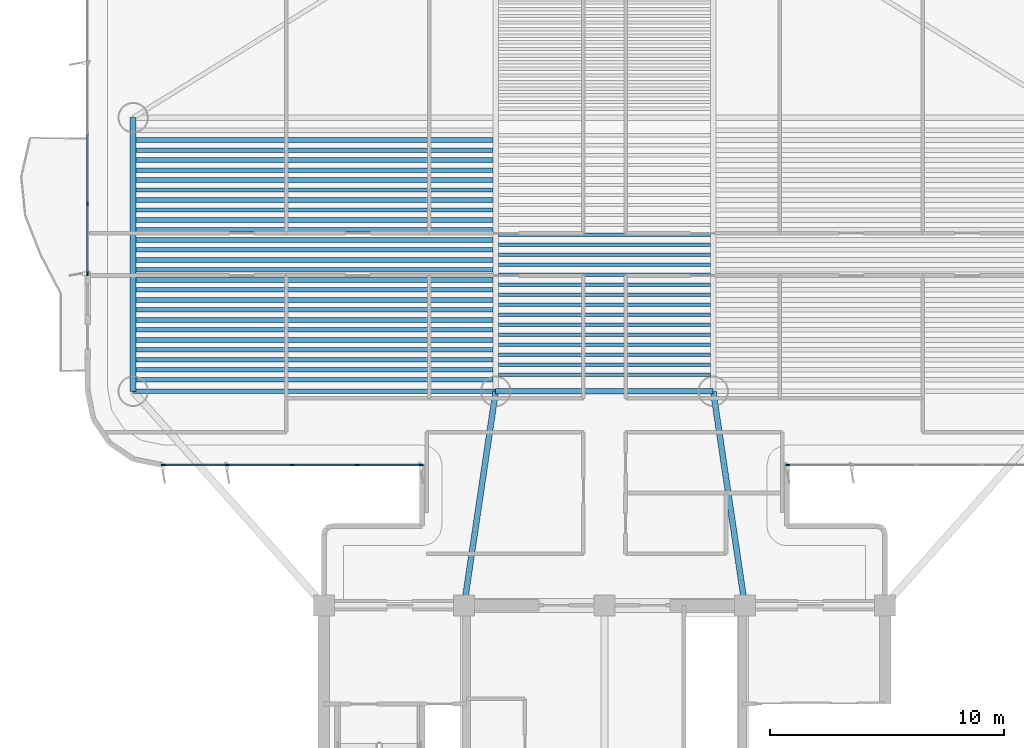
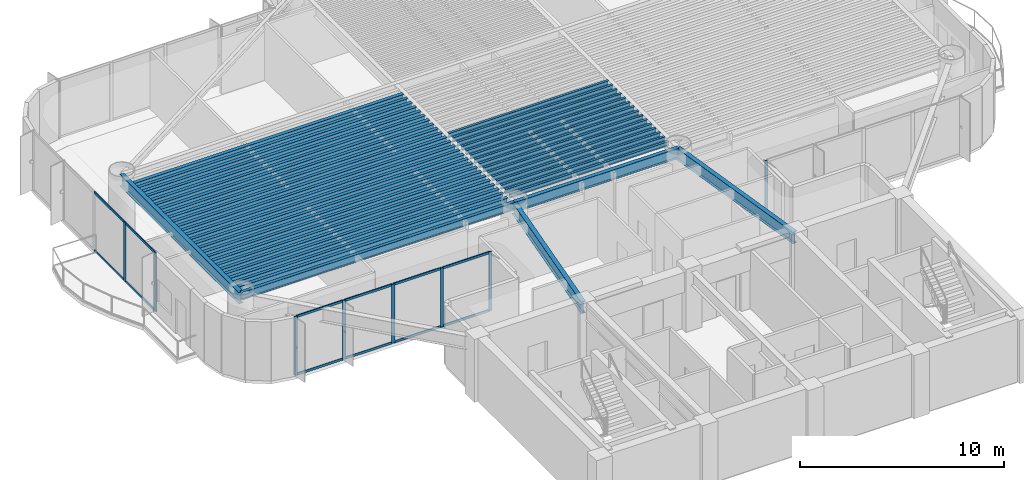
# One storey, part 2 of 16: 45 beams, 20 members, 3 elements without a shape of their own.
"""IFC4 building model written with IfcOpenShell, lengths in metres."""

from ifc_helpers import new_model, si_unit, direction, frame, origin, origin_2d, place, context, subcontext, project, spatial, rectangle, i_section, extrude, source, transform, mapped, material, layer, layer_set, material_profile, profile_set, type_object, element, aggregate, save


model = new_model("IFC4")

# Units and contexts
model_context = context("Model", 3, precision=1e-05, world=origin(), true_north=direction((0.0, 1.0)))
body_context = subcontext(model_context, "Body", "Model", "MODEL_VIEW")
ifc_project = project(units=[si_unit("LENGTHUNIT", "METRE"), si_unit("AREAUNIT", "SQUARE_METRE"), si_unit("VOLUMEUNIT", "CUBIC_METRE"), si_unit("PLANEANGLEUNIT", "RADIAN"), si_unit("MASSUNIT", "GRAM", prefix="KILO")], contexts=[model_context])

# Site, building, storey
site_placement = place(None, origin())
site = spatial("IfcSite", under=ifc_project, at=site_placement, CompositionType="ELEMENT")
building_placement = place(site_placement, origin())
building = spatial("IfcBuilding", under=site, at=building_placement, Name="Brelvock Crest Care Tower", CompositionType="ELEMENT")
storey_placement = place(building_placement, frame((0.0, 0.0, 108.719970703125)))
storey = spatial("IfcBuildingStorey", under=building, at=storey_placement, Name="L27", CompositionType="ELEMENT", Elevation=108.719970703125)

# Beams
ifc_material_1 = material(Name="Steel Grade 350", Category="steel")
ifc_material_profile_1 = material_profile(ifc_material_1, i_section(OverallWidth=0.22900390625, OverallDepth=0.612060546875, WebThickness=0.011962890625, FlangeThickness=0.01953125, FilletRadius=0.013916015625, at=origin_2d()), Name="610UB125")
ifc_profile_set_1 = profile_set([ifc_material_profile_1], Name="Steel Grade 350")
beam_type_1 = type_object("IfcBeamType", Name="BM-G1", PredefinedType="BEAM", material=ifc_profile_set_1)
shared_shape_1 = source(origin(), body_context, "Body", "SweptSolid", [
    extrude(i_section(OverallWidth=0.22900390625, OverallDepth=0.612060546875, WebThickness=0.011962890625, FlangeThickness=0.01953125, FilletRadius=0.013916015625, at=origin_2d()), origin(), (0.0, 0.0, 1.0), 9.2998046875),
])
beam_1_placement = place(storey_placement, frame((31.35009765625, 27.14990234375, 3.22412109375), z_axis=(1.0, 0.0, 0.0), x_axis=(0.0, 1.0, 0.0)))
element("IfcBeam", 1, at=beam_1_placement, inside=storey, type_object=beam_type_1, Name="BM-TWR-L27-05", PredefinedType="BEAM", context=body_context, shape_type="MappedRepresentation", body=[
    mapped(shared_shape_1, transform((0.0, 0.0, 0.0), x_axis=(1.0, 0.0, 0.0), y_axis=(0.0, 1.0, 0.0), z_axis=(0.0, 0.0, 1.0), scale=1.0)),
])
ifc_material_profile_2 = material_profile(ifc_material_1, i_section(OverallWidth=0.14599609375, OverallDepth=0.256103515625, WebThickness=0.00634765625, FlangeThickness=0.010986328125, FilletRadius=0.0087890625, at=origin_2d()), Name="250UB37.3")
ifc_profile_set_2 = profile_set([ifc_material_profile_2], Name="Steel Grade 350")
beam_type_2 = type_object("IfcBeamType", Name="BM-J3", PredefinedType="JOIST", material=ifc_profile_set_2)
shared_shape_2 = source(origin(), body_context, "Body", "SweptSolid", [
    extrude(i_section(OverallWidth=0.14599609375, OverallDepth=0.256103515625, WebThickness=0.00634765625, FlangeThickness=0.010986328125, FilletRadius=0.0087890625, at=origin_2d()), origin(), (0.0, 0.0, 1.0), 9.06982421875),
])
for number, where, z_axis, x_axis, name in (
    (2, (31.465087890625, 27.85498046875, 3.402099609375), (1.0, 0.0, 0.0), (0.0, 1.0, 0.0), "BM-JH-L27-1"),
    (3, (31.465087890625, 28.281982421875, 3.402099609375), (1.0, 0.0, 0.0), (0.0, 1.0, 0.0), "BM-JH-L27-2"),
    (4, (31.465087890625, 28.708984375, 3.402099609375), (1.0, 0.0, 0.0), (0.0, 1.0, 0.0), "BM-JH-L27-3"),
    (5, (31.465087890625, 29.135986328125, 3.402099609375), (1.0, 0.0, 0.0), (0.0, 1.0, 0.0), "BM-JH-L27-4"),
    (6, (31.465087890625, 29.56298828125, 3.402099609375), (1.0, 0.0, 0.0), (0.0, 1.0, 0.0), "BM-JH-L27-5"),
    (7, (31.465087890625, 29.990234375, 3.402099609375), (1.0, 0.0, 0.0), (0.0, 1.0, 0.0), "BM-JH-L27-6"),
    (8, (31.465087890625, 30.417236328125, 3.402099609375), (1.0, 0.0, 0.0), (0.0, 1.0, 0.0), "BM-JH-L27-7"),
    (9, (31.465087890625, 30.84423828125, 3.402099609375), (1.0, 0.0, 0.0), (0.0, 1.0, 0.0), "BM-JH-L27-8"),
    (10, (31.465087890625, 31.271240234375, 3.402099609375), (1.0, 0.0, 0.0), (0.0, 1.0, 0.0), "BM-JH-L27-9"),
    (11, (31.465087890625, 31.698486328125, 3.402099609375), (1.0, 0.0, 0.0), (0.0, 1.0, 0.0), "BM-JH-L27-10"),
    (12, (31.465087890625, 32.12548828125, 3.402099609375), (1.0, 0.0, 0.0), (0.0, 1.0, 0.0), "BM-JH-L27-11"),
    (13, (31.465087890625, 32.552490234375, 3.402099609375), (1.0, 0.0, 0.0), (0.0, 1.0, 0.0), "BM-JH-L27-12"),
    (14, (31.465087890625, 32.9794921875, 3.402099609375), (1.0, 0.0, 0.0), (0.0, 1.0, 0.0), "BM-JH-L27-13"),
    (15, (31.465087890625, 33.406494140625, 3.402099609375), (1.0, 0.0, 0.0), (0.0, 1.0, 0.0), "BM-JH-L27-14"),
    (16, (31.465087890625, 33.83349609375, 3.402099609375), (1.0, 0.0, 0.0), (0.0, 1.0, 0.0), "BM-JH-L27-15"),
):
    element("IfcBeam", number, at=place(storey_placement, frame(where, z_axis=z_axis, x_axis=x_axis)), inside=storey, type_object=beam_type_2, Name=name, PredefinedType="JOIST", context=body_context, shape_type="MappedRepresentation", body=[
        mapped(shared_shape_2, transform((0.0, 0.0, 0.0), x_axis=(1.0, 0.0, 0.0), y_axis=(0.0, 1.0, 0.0), z_axis=(0.0, 0.0, 1.0), scale=1.0)),
    ])
ifc_material_profile_3 = material_profile(ifc_material_1, i_section(OverallWidth=0.208984375, OverallDepth=0.532958984375, WebThickness=0.01025390625, FlangeThickness=0.015625, FilletRadius=0.013916015625, at=origin_2d()), Name="530UB92.4")
ifc_profile_set_3 = profile_set([ifc_material_profile_3], Name="Steel Grade 350")
beam_type_3 = type_object("IfcBeamType", Name="BM-G2", PredefinedType="BEAM", material=ifc_profile_set_3)
shared_shape_3 = source(origin(), body_context, "Body", "SweptSolid", [
    extrude(i_section(OverallWidth=0.208984375, OverallDepth=0.532958984375, WebThickness=0.01025390625, FlangeThickness=0.015625, FilletRadius=0.013916015625, at=origin_2d()), origin(), (0.0, 0.0, 1.0), 15.27001953125),
])
for number, where, z_axis, x_axis, name in (
    (17, (15.965087890625, 27.641357421875, 3.263427734375), (1.0, 0.0, 0.0), (0.0, 1.0, 0.0), "BM-JW-L27-1"),
    (18, (15.965087890625, 28.49560546875, 3.263427734375), (1.0, 0.0, 0.0), (0.0, 1.0, 0.0), "BM-JW-L27-3"),
    (19, (15.965087890625, 29.349609375, 3.263427734375), (1.0, 0.0, 0.0), (0.0, 1.0, 0.0), "BM-JW-L27-5"),
    (20, (15.965087890625, 30.20361328125, 3.263427734375), (1.0, 0.0, 0.0), (0.0, 1.0, 0.0), "BM-JW-L27-7"),
    (21, (15.965087890625, 31.057861328125, 3.263427734375), (1.0, 0.0, 0.0), (0.0, 1.0, 0.0), "BM-JW-L27-9"),
    (22, (15.965087890625, 31.911865234375, 3.263427734375), (1.0, 0.0, 0.0), (0.0, 1.0, 0.0), "BM-JW-L27-11"),
    (23, (15.965087890625, 32.76611328125, 3.263427734375), (1.0, 0.0, 0.0), (0.0, 1.0, 0.0), "BM-JW-L27-13"),
    (24, (15.965087890625, 33.6201171875, 3.263427734375), (1.0, 0.0, 0.0), (0.0, 1.0, 0.0), "BM-JW-L27-15"),
    (25, (15.965087890625, 34.47412109375, 3.263427734375), (1.0, 0.0, 0.0), (0.0, 1.0, 0.0), "BM-JW-L27-17"),
    (26, (15.965087890625, 35.328369140625, 3.263427734375), (1.0, 0.0, 0.0), (0.0, 1.0, 0.0), "BM-JW-L27-19"),
    (27, (15.965087890625, 36.182373046875, 3.263427734375), (1.0, 0.0, 0.0), (0.0, 1.0, 0.0), "BM-JW-L27-21"),
    (28, (15.965087890625, 37.03662109375, 3.263427734375), (1.0, 0.0, 0.0), (0.0, 1.0, 0.0), "BM-JW-L27-23"),
    (29, (15.965087890625, 37.890625, 3.263427734375), (1.0, 0.0, 0.0), (0.0, 1.0, 0.0), "BM-JW-L27-25"),
):
    element("IfcBeam", number, at=place(storey_placement, frame(where, z_axis=z_axis, x_axis=x_axis)), inside=storey, type_object=beam_type_3, Name=name, PredefinedType="BEAM", context=body_context, shape_type="MappedRepresentation", body=[
        mapped(shared_shape_3, transform((0.0, 0.0, 0.0), x_axis=(1.0, 0.0, 0.0), y_axis=(0.0, 1.0, 0.0), z_axis=(0.0, 0.0, 1.0), scale=1.0)),
    ])
ifc_material_profile_4 = material_profile(ifc_material_1, i_section(OverallWidth=0.19091796875, OverallDepth=0.4599609375, WebThickness=0.010009765625, FlangeThickness=0.01611328125, FilletRadius=0.011474609375, at=origin_2d()), Name="460UB82.1")
ifc_profile_set_4 = profile_set([ifc_material_profile_4], Name="Steel Grade 350")
beam_type_4 = type_object("IfcBeamType", Name="BM-G3", PredefinedType="BEAM", material=ifc_profile_set_4)
shared_shape_4 = source(origin(), body_context, "Body", "SweptSolid", [
    extrude(i_section(OverallWidth=0.19091796875, OverallDepth=0.4599609375, WebThickness=0.010009765625, FlangeThickness=0.01611328125, FilletRadius=0.011474609375, at=origin_2d()), origin(), (0.0, 0.0, 1.0), 15.27001953125),
])
for number, where, z_axis, x_axis, name in (
    (30, (15.965087890625, 28.068359375, 3.300048828125), (1.0, 0.0, 0.0), (0.0, 1.0, 0.0), "BM-JW-L27-2"),
    (31, (15.965087890625, 28.922607421875, 3.300048828125), (1.0, 0.0, 0.0), (0.0, 1.0, 0.0), "BM-JW-L27-4"),
    (32, (15.965087890625, 29.776611328125, 3.300048828125), (1.0, 0.0, 0.0), (0.0, 1.0, 0.0), "BM-JW-L27-6"),
    (33, (15.965087890625, 30.630615234375, 3.300048828125), (1.0, 0.0, 0.0), (0.0, 1.0, 0.0), "BM-JW-L27-8"),
    (34, (15.965087890625, 31.48486328125, 3.300048828125), (1.0, 0.0, 0.0), (0.0, 1.0, 0.0), "BM-JW-L27-10"),
    (35, (15.965087890625, 32.3388671875, 3.300048828125), (1.0, 0.0, 0.0), (0.0, 1.0, 0.0), "BM-JW-L27-12"),
    (36, (15.965087890625, 33.193115234375, 3.300048828125), (1.0, 0.0, 0.0), (0.0, 1.0, 0.0), "BM-JW-L27-14"),
    (37, (15.965087890625, 34.047119140625, 3.300048828125), (1.0, 0.0, 0.0), (0.0, 1.0, 0.0), "BM-JW-L27-16"),
    (38, (15.965087890625, 34.901123046875, 3.300048828125), (1.0, 0.0, 0.0), (0.0, 1.0, 0.0), "BM-JW-L27-18"),
    (39, (15.965087890625, 35.75537109375, 3.300048828125), (1.0, 0.0, 0.0), (0.0, 1.0, 0.0), "BM-JW-L27-20"),
    (40, (15.965087890625, 36.609619140625, 3.300048828125), (1.0, 0.0, 0.0), (0.0, 1.0, 0.0), "BM-JW-L27-22"),
    (41, (15.965087890625, 37.46337890625, 3.300048828125), (1.0, 0.0, 0.0), (0.0, 1.0, 0.0), "BM-JW-L27-24"),
):
    element("IfcBeam", number, at=place(storey_placement, frame(where, z_axis=z_axis, x_axis=x_axis)), inside=storey, type_object=beam_type_4, Name=name, PredefinedType="BEAM", context=body_context, shape_type="MappedRepresentation", body=[
        mapped(shared_shape_4, transform((0.0, 0.0, 0.0), x_axis=(1.0, 0.0, 0.0), y_axis=(0.0, 1.0, 0.0), z_axis=(0.0, 0.0, 1.0), scale=1.0)),
    ])
ifc_material_profile_5 = material_profile(ifc_material_1, i_section(OverallWidth=0.25, OverallDepth=0.699951171875, WebThickness=0.011962890625, FlangeThickness=0.02001953125, at=origin_2d()), Name="700WB150")
ifc_profile_set_5 = profile_set([ifc_material_profile_5], Name="Steel Grade 350")
beam_type_5 = type_object("IfcBeamType", Name="BM-G4", PredefinedType="BEAM", material=ifc_profile_set_5)
shared_shape_5 = source(origin(), body_context, "Body", "SweptSolid", [
    extrude(i_section(OverallWidth=0.25, OverallDepth=0.699951171875, WebThickness=0.011962890625, FlangeThickness=0.02001953125, at=origin_2d()), origin(), (0.0, 0.0, 1.0), 11.7001953125),
])
beam_2_placement = place(storey_placement, frame((15.85009765625, 27.14990234375, 3.179931640625), z_axis=(0.0, 1.0, 0.0), x_axis=(-1.0, 0.0, 0.0)))
element("IfcBeam", 42, at=beam_2_placement, inside=storey, type_object=beam_type_5, Name="BM-TWR-L27-01", PredefinedType="BEAM", context=body_context, shape_type="MappedRepresentation", body=[
    mapped(shared_shape_5, transform((0.0, 0.0, 0.0), x_axis=(1.0, 0.0, 0.0), y_axis=(0.0, 1.0, 0.0), z_axis=(0.0, 0.0, 1.0), scale=1.0)),
])
ifc_material_profile_6 = material_profile(ifc_material_1, i_section(OverallWidth=0.19091796875, OverallDepth=0.4599609375, WebThickness=0.010009765625, FlangeThickness=0.01611328125, FilletRadius=0.011474609375, at=origin_2d()), Name="460UB82.1")
ifc_profile_set_6 = profile_set([ifc_material_profile_6], Name="Steel Grade 350")
beam_type_6 = type_object("IfcBeamType", Name="BM-SP2", PredefinedType="SPANDREL", material=ifc_profile_set_6)
shared_shape_6 = source(origin(), body_context, "Body", "SweptSolid", [
    extrude(i_section(OverallWidth=0.19091796875, OverallDepth=0.4599609375, WebThickness=0.010009765625, FlangeThickness=0.01611328125, FilletRadius=0.011474609375, at=origin_2d()), origin(), (0.0, 0.0, 1.0), 15.5),
])
beam_3_placement = place(storey_placement, frame((15.85009765625, 27.14990234375, 3.300048828125), z_axis=(1.0, 0.0, 0.0), x_axis=(0.0, 1.0, 0.0)))
element("IfcBeam", 43, at=beam_3_placement, inside=storey, type_object=beam_type_6, Name="BM-TWR-L27-03", PredefinedType="SPANDREL", context=body_context, shape_type="MappedRepresentation", body=[
    mapped(shared_shape_6, transform((0.0, 0.0, 0.0), x_axis=(1.0, 0.0, 0.0), y_axis=(0.0, 1.0, 0.0), z_axis=(0.0, 0.0, 1.0), scale=1.0)),
])
shared_shape_7 = source(origin(), body_context, "Body", "SweptSolid", [
    extrude(i_section(OverallWidth=0.25, OverallDepth=0.699951171875, WebThickness=0.011962890625, FlangeThickness=0.02001953125, at=origin_2d()), origin(), (0.0, 0.0, 1.0), 9.2490234375),
])
for number, where, z_axis, x_axis, name in (
    (44, (30.0, 18.0, 3.179931640625), (0.145972731602, 0.989288613918, 0.0), (-0.989288613918, 0.145972731602, 0.0), "BM-THRW-L27"),
    (45, (42.0, 18.0, 3.179931640625), (-0.145972731602, 0.989288613918, 0.0), (-0.989288613918, -0.145972731602, 0.0), "BM-THRE-L27"),
):
    element("IfcBeam", number, at=place(storey_placement, frame(where, z_axis=z_axis, x_axis=x_axis)), inside=storey, type_object=beam_type_5, Name=name, PredefinedType="BEAM", context=body_context, shape_type="MappedRepresentation", body=[
        mapped(shared_shape_7, transform((0.0, 0.0, 0.0), x_axis=(1.0, 0.0, 0.0), y_axis=(0.0, 1.0, 0.0), z_axis=(0.0, 0.0, 1.0), scale=1.0)),
    ])

# Curtain wall, members
ifc_material_2 = material(Name="Dark Glass Double Glazed Low-E", Category="glass")
ifc_layer = layer(ifc_material_2, 0.2099609375, Name="CWS-3")
ifc_layer_set = layer_set([ifc_layer], Name="Dark Glass Double Glazed Low-E")
curtain_wall_type = type_object("IfcCurtainWallType", Name="CWS-3", PredefinedType="NOTDEFINED", material=ifc_layer_set)
curtain_wall_1_placement = place(storey_placement, origin())
curtain_wall_1 = element("IfcCurtainWall", 46, at=curtain_wall_1_placement, inside=storey, type_object=curtain_wall_type, Name="L27 Curtain Wall E12", PredefinedType="NOTDEFINED")
ifc_material_3 = material(Name="Aluminium 6063-T6", Category="aluminium")
ifc_material_profile_7 = material_profile(ifc_material_3, rectangle(XDim=0.06005859375, YDim=0.179931640625, at=origin_2d()), Name="ALU60x180")
ifc_profile_set_7 = profile_set([ifc_material_profile_7], Name="Aluminium 6063-T6")
member_type_1 = type_object("IfcMemberType", Name="CWM-2", PredefinedType="MULLION", material=ifc_profile_set_7)
shared_shape_8 = source(origin(), body_context, "Body", "SweptSolid", [
    extrude(rectangle(XDim=0.06005859375, YDim=0.179931640625, at=origin_2d()), origin(), (0.0, 0.0, 1.0), 3.530029296875),
])
member_1_placement = place(storey_placement, frame((28.169921875, 24.0, 0.0), z_axis=(0.0, 0.0, 1.0), x_axis=(0.0, -1.0, 0.0)))
member_1 = element("IfcMember", 47, at=member_1_placement, type_object=member_type_1, Name="CW-3 mullion 1", PredefinedType="MULLION", context=body_context, shape_type="MappedRepresentation", body=[
    mapped(shared_shape_8, transform((0.0, 0.0, 0.0), x_axis=(1.0, 0.0, 0.0), y_axis=(0.0, 1.0, 0.0), z_axis=(0.0, 0.0, 1.0), scale=1.0)),
])
member_2_placement = place(storey_placement, frame((25.425048828125, 24.0, 0.0), z_axis=(0.0, 0.0, 1.0), x_axis=(0.0, -1.0, 0.0)))
member_2 = element("IfcMember", 48, at=member_2_placement, type_object=member_type_1, Name="CW-3 mullion 2", PredefinedType="MULLION", context=body_context, shape_type="MappedRepresentation", body=[
    mapped(shared_shape_8, transform((0.0, 0.0, 0.0), x_axis=(1.0, 0.0, 0.0), y_axis=(0.0, 1.0, 0.0), z_axis=(0.0, 0.0, 1.0), scale=1.0)),
])
member_3_placement = place(storey_placement, frame((22.64990234375, 24.0, 0.0), z_axis=(0.0, 0.0, 1.0), x_axis=(0.0, -1.0, 0.0)))
member_3 = element("IfcMember", 49, at=member_3_placement, type_object=member_type_1, Name="CW-3 mullion 3", PredefinedType="MULLION", context=body_context, shape_type="MappedRepresentation", body=[
    mapped(shared_shape_8, transform((0.0, 0.0, 0.0), x_axis=(1.0, 0.0, 0.0), y_axis=(0.0, 1.0, 0.0), z_axis=(0.0, 0.0, 1.0), scale=1.0)),
])
member_4_placement = place(storey_placement, frame((19.875, 24.0, 0.0), z_axis=(0.0, 0.0, 1.0), x_axis=(0.0, -1.0, 0.0)))
member_4 = element("IfcMember", 50, at=member_4_placement, type_object=member_type_1, Name="CW-3 mullion 4", PredefinedType="MULLION", context=body_context, shape_type="MappedRepresentation", body=[
    mapped(shared_shape_8, transform((0.0, 0.0, 0.0), x_axis=(1.0, 0.0, 0.0), y_axis=(0.0, 1.0, 0.0), z_axis=(0.0, 0.0, 1.0), scale=1.0)),
])
member_5_placement = place(storey_placement, frame((17.1298828125, 24.0, 0.0), z_axis=(0.0, 0.0, 1.0), x_axis=(0.0, -1.0, 0.0)))
member_5 = element("IfcMember", 51, at=member_5_placement, type_object=member_type_1, Name="CW-3 mullion 5", PredefinedType="MULLION", context=body_context, shape_type="MappedRepresentation", body=[
    mapped(shared_shape_8, transform((0.0, 0.0, 0.0), x_axis=(1.0, 0.0, 0.0), y_axis=(0.0, 1.0, 0.0), z_axis=(0.0, 0.0, 1.0), scale=1.0)),
])

curtain_wall_2_placement = place(storey_placement, origin())
curtain_wall_2 = element("IfcCurtainWall", 52, at=curtain_wall_2_placement, inside=storey, type_object=curtain_wall_type, Name="L27 Curtain Wall E17B", PredefinedType="NOTDEFINED")
member_6_placement = place(storey_placement, frame((13.89990234375, 32.179931640625, 0.0), z_axis=(0.0, 0.0, 1.0), x_axis=(-1.0, 0.0, 0.0)))
member_6 = element("IfcMember", 53, at=member_6_placement, type_object=member_type_1, Name="CW-3 mullion 1", PredefinedType="MULLION", context=body_context, shape_type="MappedRepresentation", body=[
    mapped(shared_shape_8, transform((0.0, 0.0, 0.0), x_axis=(1.0, 0.0, 0.0), y_axis=(0.0, 1.0, 0.0), z_axis=(0.0, 0.0, 1.0), scale=1.0)),
])
member_7_placement = place(storey_placement, frame((13.89990234375, 35.16259765625, 0.0), z_axis=(0.0, 0.0, 1.0), x_axis=(-1.0, 0.0, 0.0)))
member_7 = element("IfcMember", 54, at=member_7_placement, type_object=member_type_1, Name="CW-3 mullion 2", PredefinedType="MULLION", context=body_context, shape_type="MappedRepresentation", body=[
    mapped(shared_shape_8, transform((0.0, 0.0, 0.0), x_axis=(1.0, 0.0, 0.0), y_axis=(0.0, 1.0, 0.0), z_axis=(0.0, 0.0, 1.0), scale=1.0)),
])

# Curtain wall, member
curtain_wall_3_placement = place(storey_placement, origin())
curtain_wall_3 = element("IfcCurtainWall", 55, at=curtain_wall_3_placement, inside=storey, type_object=curtain_wall_type, Name="L27 Curtain Wall E44", PredefinedType="NOTDEFINED")
member_8_placement = place(storey_placement, frame((43.830078125, 24.0, 0.0), z_axis=(0.0, 0.0, 1.0), x_axis=(0.0, -1.0, 0.0)))
member_8 = element("IfcMember", 56, at=member_8_placement, type_object=member_type_1, Name="CW-3 mullion 5", PredefinedType="MULLION", context=body_context, shape_type="MappedRepresentation", body=[
    mapped(shared_shape_8, transform((0.0, 0.0, 0.0), x_axis=(1.0, 0.0, 0.0), y_axis=(0.0, 1.0, 0.0), z_axis=(0.0, 0.0, 1.0), scale=1.0)),
])
aggregate(curtain_wall_3, [member_8])

# Member
ifc_material_profile_8 = material_profile(ifc_material_3, rectangle(XDim=0.06005859375, YDim=0.139892578125, at=origin_2d()), Name="ALU60x140")
ifc_profile_set_8 = profile_set([ifc_material_profile_8], Name="Aluminium 6063-T6")
member_type_2 = type_object("IfcMemberType", Name="CWT-2", PredefinedType="USERDEFINED", material=ifc_profile_set_8)
shared_shape_9 = source(origin(), body_context, "Body", "SweptSolid", [
    extrude(rectangle(XDim=0.06005859375, YDim=0.139892578125, at=origin_2d()), origin(), (0.0, 0.0, 1.0), 2.684814453125),
])
member_9_placement = place(storey_placement, frame((28.139892578125, 24.0, 0.030029296875), z_axis=(-1.0, 0.0, 0.0), x_axis=(0.0, -1.0, 0.0)))
member_9 = element("IfcMember", 57, at=member_9_placement, type_object=member_type_2, Name="CW-3 transom 1.1", ObjectType="TRANSOM", PredefinedType="USERDEFINED", context=body_context, shape_type="MappedRepresentation", body=[
    mapped(shared_shape_9, transform((0.0, 0.0, 0.0), x_axis=(1.0, 0.0, 0.0), y_axis=(0.0, 1.0, 0.0), z_axis=(0.0, 0.0, 1.0), scale=1.0)),
])

member_10_placement = place(storey_placement, frame((28.139892578125, 24.0, 3.5), z_axis=(-1.0, 0.0, 0.0), x_axis=(0.0, -1.0, 0.0)))
member_10 = element("IfcMember", 58, at=member_10_placement, type_object=member_type_2, Name="CW-3 transom 1.2", ObjectType="TRANSOM", PredefinedType="USERDEFINED", context=body_context, shape_type="MappedRepresentation", body=[
    mapped(shared_shape_9, transform((0.0, 0.0, 0.0), x_axis=(1.0, 0.0, 0.0), y_axis=(0.0, 1.0, 0.0), z_axis=(0.0, 0.0, 1.0), scale=1.0)),
])

shared_shape_10 = source(origin(), body_context, "Body", "SweptSolid", [
    extrude(rectangle(XDim=0.06005859375, YDim=0.139892578125, at=origin_2d()), origin(), (0.0, 0.0, 1.0), 2.715087890625),
])
member_11_placement = place(storey_placement, frame((25.39501953125, 24.0, 0.030029296875), z_axis=(-1.0, 0.0, 0.0), x_axis=(0.0, -1.0, 0.0)))
member_11 = element("IfcMember", 59, at=member_11_placement, type_object=member_type_2, Name="CW-3 transom 2.1", ObjectType="TRANSOM", PredefinedType="USERDEFINED", context=body_context, shape_type="MappedRepresentation", body=[
    mapped(shared_shape_10, transform((0.0, 0.0, 0.0), x_axis=(1.0, 0.0, 0.0), y_axis=(0.0, 1.0, 0.0), z_axis=(0.0, 0.0, 1.0), scale=1.0)),
])

member_12_placement = place(storey_placement, frame((25.39501953125, 24.0, 3.5), z_axis=(-1.0, 0.0, 0.0), x_axis=(0.0, -1.0, 0.0)))
member_12 = element("IfcMember", 60, at=member_12_placement, type_object=member_type_2, Name="CW-3 transom 2.2", ObjectType="TRANSOM", PredefinedType="USERDEFINED", context=body_context, shape_type="MappedRepresentation", body=[
    mapped(shared_shape_10, transform((0.0, 0.0, 0.0), x_axis=(1.0, 0.0, 0.0), y_axis=(0.0, 1.0, 0.0), z_axis=(0.0, 0.0, 1.0), scale=1.0)),
])

member_13_placement = place(storey_placement, frame((22.6201171875, 24.0, 0.030029296875), z_axis=(-1.0, 0.0, 0.0), x_axis=(0.0, -1.0, 0.0)))
member_13 = element("IfcMember", 61, at=member_13_placement, type_object=member_type_2, Name="CW-3 transom 3.1", ObjectType="TRANSOM", PredefinedType="USERDEFINED", context=body_context, shape_type="MappedRepresentation", body=[
    mapped(shared_shape_10, transform((0.0, 0.0, 0.0), x_axis=(1.0, 0.0, 0.0), y_axis=(0.0, 1.0, 0.0), z_axis=(0.0, 0.0, 1.0), scale=1.0)),
])

member_14_placement = place(storey_placement, frame((22.6201171875, 24.0, 3.5), z_axis=(-1.0, 0.0, 0.0), x_axis=(0.0, -1.0, 0.0)))
member_14 = element("IfcMember", 62, at=member_14_placement, type_object=member_type_2, Name="CW-3 transom 3.2", ObjectType="TRANSOM", PredefinedType="USERDEFINED", context=body_context, shape_type="MappedRepresentation", body=[
    mapped(shared_shape_10, transform((0.0, 0.0, 0.0), x_axis=(1.0, 0.0, 0.0), y_axis=(0.0, 1.0, 0.0), z_axis=(0.0, 0.0, 1.0), scale=1.0)),
])

shared_shape_11 = source(origin(), body_context, "Body", "SweptSolid", [
    extrude(rectangle(XDim=0.06005859375, YDim=0.139892578125, at=origin_2d()), origin(), (0.0, 0.0, 1.0), 2.68505859375),
])
member_15_placement = place(storey_placement, frame((19.844970703125, 24.0, 0.030029296875), z_axis=(-1.0, 0.0, 0.0), x_axis=(0.0, -1.0, 0.0)))
member_15 = element("IfcMember", 63, at=member_15_placement, type_object=member_type_2, Name="CW-3 transom 4.1", ObjectType="TRANSOM", PredefinedType="USERDEFINED", context=body_context, shape_type="MappedRepresentation", body=[
    mapped(shared_shape_11, transform((0.0, 0.0, 0.0), x_axis=(1.0, 0.0, 0.0), y_axis=(0.0, 1.0, 0.0), z_axis=(0.0, 0.0, 1.0), scale=1.0)),
])

member_16_placement = place(storey_placement, frame((19.844970703125, 24.0, 3.5), z_axis=(-1.0, 0.0, 0.0), x_axis=(0.0, -1.0, 0.0)))
member_16 = element("IfcMember", 64, at=member_16_placement, type_object=member_type_2, Name="CW-3 transom 4.2", ObjectType="TRANSOM", PredefinedType="USERDEFINED", context=body_context, shape_type="MappedRepresentation", body=[
    mapped(shared_shape_11, transform((0.0, 0.0, 0.0), x_axis=(1.0, 0.0, 0.0), y_axis=(0.0, 1.0, 0.0), z_axis=(0.0, 0.0, 1.0), scale=1.0)),
])

aggregate(curtain_wall_1, [member_1, member_2, member_3, member_4, member_5, member_9, member_10, member_11, member_12, member_13, member_14, member_15, member_16])

shared_shape_12 = source(origin(), body_context, "Body", "SweptSolid", [
    extrude(rectangle(XDim=0.06005859375, YDim=0.139892578125, at=origin_2d()), origin(), (0.0, 0.0, 1.0), 2.922607421875),
])
member_17_placement = place(storey_placement, frame((13.89990234375, 32.2099609375, 0.030029296875), z_axis=(0.0, 1.0, 0.0), x_axis=(-1.0, 0.0, 0.0)))
member_17 = element("IfcMember", 65, at=member_17_placement, type_object=member_type_2, Name="CW-3 transom 1.1", ObjectType="TRANSOM", PredefinedType="USERDEFINED", context=body_context, shape_type="MappedRepresentation", body=[
    mapped(shared_shape_12, transform((0.0, 0.0, 0.0), x_axis=(1.0, 0.0, 0.0), y_axis=(0.0, 1.0, 0.0), z_axis=(0.0, 0.0, 1.0), scale=1.0)),
])

member_18_placement = place(storey_placement, frame((13.89990234375, 32.2099609375, 3.5), z_axis=(0.0, 1.0, 0.0), x_axis=(-1.0, 0.0, 0.0)))
member_18 = element("IfcMember", 66, at=member_18_placement, type_object=member_type_2, Name="CW-3 transom 1.2", ObjectType="TRANSOM", PredefinedType="USERDEFINED", context=body_context, shape_type="MappedRepresentation", body=[
    mapped(shared_shape_12, transform((0.0, 0.0, 0.0), x_axis=(1.0, 0.0, 0.0), y_axis=(0.0, 1.0, 0.0), z_axis=(0.0, 0.0, 1.0), scale=1.0)),
])

shared_shape_13 = source(origin(), body_context, "Body", "SweptSolid", [
    extrude(rectangle(XDim=0.06005859375, YDim=0.139892578125, at=origin_2d()), origin(), (0.0, 0.0, 1.0), 2.95263671875),
])
member_19_placement = place(storey_placement, frame((13.89990234375, 35.1923828125, 0.030029296875), z_axis=(0.0, 1.0, 0.0), x_axis=(-1.0, 0.0, 0.0)))
member_19 = element("IfcMember", 67, at=member_19_placement, type_object=member_type_2, Name="CW-3 transom 2.1", ObjectType="TRANSOM", PredefinedType="USERDEFINED", context=body_context, shape_type="MappedRepresentation", body=[
    mapped(shared_shape_13, transform((0.0, 0.0, 0.0), x_axis=(1.0, 0.0, 0.0), y_axis=(0.0, 1.0, 0.0), z_axis=(0.0, 0.0, 1.0), scale=1.0)),
])

member_20_placement = place(storey_placement, frame((13.89990234375, 35.1923828125, 3.5), z_axis=(0.0, 1.0, 0.0), x_axis=(-1.0, 0.0, 0.0)))
member_20 = element("IfcMember", 68, at=member_20_placement, type_object=member_type_2, Name="CW-3 transom 2.2", ObjectType="TRANSOM", PredefinedType="USERDEFINED", context=body_context, shape_type="MappedRepresentation", body=[
    mapped(shared_shape_13, transform((0.0, 0.0, 0.0), x_axis=(1.0, 0.0, 0.0), y_axis=(0.0, 1.0, 0.0), z_axis=(0.0, 0.0, 1.0), scale=1.0)),
])

aggregate(curtain_wall_2, [member_6, member_7, member_17, member_18, member_19, member_20])

save(model, "model.ifc")
